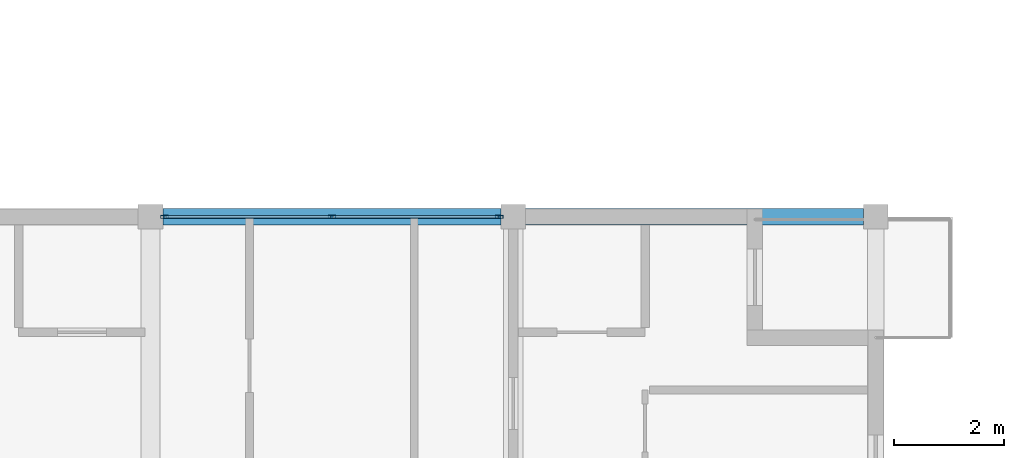
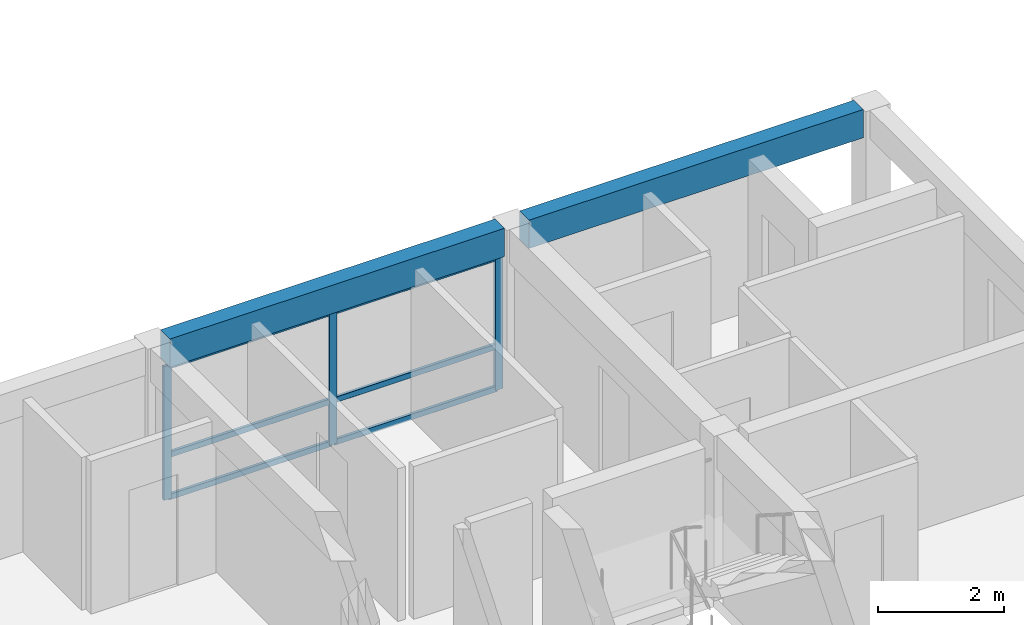
# One storey, part 12 of 46: 9 members, 2 beams, 1 element without a shape of its own.
"""IFC4 building model written with IfcOpenShell, lengths in metres."""

from ifc_helpers import new_model, si_unit, direction, frame, origin, origin_2d, place, context, subcontext, project, spatial, rectangle, hollow_rectangle, extrude, material, material_profile, profile_set, type_object, element, aggregate, save


model = new_model("IFC4")

# Units and contexts
model_context = context("Model", 3, precision=1e-05, world=origin(), true_north=direction((0.0, 1.0)))
body_context = subcontext(model_context, "Body", "Model", "MODEL_VIEW")
ifc_project = project(units=[si_unit("LENGTHUNIT", "METRE"), si_unit("AREAUNIT", "SQUARE_METRE"), si_unit("VOLUMEUNIT", "CUBIC_METRE"), si_unit("PLANEANGLEUNIT", "RADIAN"), si_unit("MASSUNIT", "GRAM", prefix="KILO")], contexts=[model_context])

# Site, building, storey
site_placement = place(None, origin())
site = spatial("IfcSite", under=ifc_project, at=site_placement, CompositionType="ELEMENT")
building_placement = place(site_placement, origin())
building = spatial("IfcBuilding", under=site, at=building_placement, Name="Kernevlak Ridge Housing Community", CompositionType="ELEMENT")
storey_placement = place(building_placement, frame((0.0, 0.0, 27.60009765625)))
storey = spatial("IfcBuildingStorey", under=building, at=storey_placement, Name="L08", CompositionType="ELEMENT", Elevation=27.60009765625)

# Curtain wall, members
ifc_material_1 = material(Name="Aluminium EN AW-6060 anodised and laminated glass", Category="aluminium")
curtain_wall_type = type_object("IfcCurtainWallType", Name="CW-14", PredefinedType="NOTDEFINED", material=ifc_material_1)
curtain_wall_placement = place(storey_placement, origin())
curtain_wall = element("IfcCurtainWall", 1, at=curtain_wall_placement, inside=storey, type_object=curtain_wall_type, Name="Curtain wall CW-14 CW-L08-126", PredefinedType="NOTDEFINED")
ifc_material_2 = material(Name="Aluminium EN AW-6060 anodised", Category="aluminium")
ifc_material_profile_1 = material_profile(ifc_material_2, hollow_rectangle(XDim=0.054931640625, YDim=0.139892578125, WallThickness=0.00390625, InnerFilletRadius=0.001953125, OuterFilletRadius=0.00390625, at=origin_2d()), Name="ALU 55x140x4")
ifc_profile_set_1 = profile_set([ifc_material_profile_1], Name="Aluminium EN AW-6060 anodised")
member_type_1 = type_object("IfcMemberType", Name="MU-01", PredefinedType="MULLION", material=ifc_profile_set_1)
member_1_placement = place(storey_placement, frame((132.8525390625, 42.0, 0.0), z_axis=(0.0, 0.0, 1.0), x_axis=(0.0, 1.0, 0.0)))
member_1 = element("IfcMember", 2, at=member_1_placement, type_object=member_type_1, Name="CW-14 mullion 1", PredefinedType="MULLION", context=body_context, shape_type="SweptSolid", body=[
    extrude(hollow_rectangle(XDim=0.054931640625, YDim=0.139892578125, WallThickness=0.00390625, InnerFilletRadius=0.001953125, OuterFilletRadius=0.00390625, at=origin_2d()), origin(), (0.0, 0.0, 1.0), 2.599853515625),
])
member_2_placement = place(storey_placement, frame((135.89990234375, 42.0, 0.0), z_axis=(0.0, 0.0, 1.0), x_axis=(0.0, 1.0, 0.0)))
member_2 = element("IfcMember", 3, at=member_2_placement, type_object=member_type_1, Name="CW-14 mullion 2", PredefinedType="MULLION", context=body_context, shape_type="SweptSolid", body=[
    extrude(hollow_rectangle(XDim=0.054931640625, YDim=0.139892578125, WallThickness=0.00390625, InnerFilletRadius=0.001953125, OuterFilletRadius=0.00390625, at=origin_2d()), origin(), (0.0, 0.0, 1.0), 2.599853515625),
])
member_3_placement = place(storey_placement, frame((138.947509765625, 42.0, 0.0), z_axis=(0.0, 0.0, 1.0), x_axis=(0.0, 1.0, 0.0)))
member_3 = element("IfcMember", 4, at=member_3_placement, type_object=member_type_1, Name="CW-14 mullion 3", PredefinedType="MULLION", context=body_context, shape_type="SweptSolid", body=[
    extrude(hollow_rectangle(XDim=0.054931640625, YDim=0.139892578125, WallThickness=0.00390625, InnerFilletRadius=0.001953125, OuterFilletRadius=0.00390625, at=origin_2d()), origin(), (0.0, 0.0, 1.0), 2.599853515625),
])

# Beams
ifc_material_3 = material(Name="Concrete C35/45", Category="concrete")
ifc_material_profile_2 = material_profile(ifc_material_3, rectangle(XDim=0.300048828125, YDim=0.550048828125, at=origin_2d()), Name="RC 300x550")
ifc_profile_set_2 = profile_set([ifc_material_profile_2], Name="Concrete C35/45")
beam_type = type_object("IfcBeamType", Name="SP-01", PredefinedType="SPANDREL", material=ifc_profile_set_2)
beam_1_placement = place(storey_placement, frame((132.824951171875, 42.0, 2.9248046875), z_axis=(1.0, 0.0, 0.0), x_axis=(0.0, 1.0, 0.0)))
element("IfcBeam", 5, at=beam_1_placement, inside=storey, type_object=beam_type, Name="Beam SP-01 L08 1198", PredefinedType="SPANDREL", context=body_context, shape_type="SweptSolid", body=[
    extrude(rectangle(XDim=0.300048828125, YDim=0.550048828125, at=origin_2d()), origin(), (0.0, 0.0, 1.0), 6.150146484375),
])
beam_2_placement = place(storey_placement, frame((139.425048828125, 42.0, 2.9248046875), z_axis=(1.0, 0.0, 0.0), x_axis=(0.0, 1.0, 0.0)))
element("IfcBeam", 6, at=beam_2_placement, inside=storey, type_object=beam_type, Name="Beam SP-01 L08 1199", PredefinedType="SPANDREL", context=body_context, shape_type="SweptSolid", body=[
    extrude(rectangle(XDim=0.300048828125, YDim=0.550048828125, at=origin_2d()), origin(), (0.0, 0.0, 1.0), 6.14990234375),
])

# Member
ifc_material_profile_3 = material_profile(ifc_material_2, hollow_rectangle(XDim=0.054931640625, YDim=0.110107421875, WallThickness=0.00390625, InnerFilletRadius=0.001953125, OuterFilletRadius=0.00390625, at=origin_2d()), Name="ALU 55x110x4")
ifc_profile_set_3 = profile_set([ifc_material_profile_3], Name="Aluminium EN AW-6060 anodised")
member_type_2 = type_object("IfcMemberType", Name="TM-01", PredefinedType="USERDEFINED", material=ifc_profile_set_3)
member_4_placement = place(storey_placement, frame((132.8798828125, 42.0, 0.02734375), z_axis=(1.0, 0.0, 0.0), x_axis=(0.0, 1.0, 0.0)))
member_4 = element("IfcMember", 7, at=member_4_placement, type_object=member_type_2, Name="CW-14 transom 1.1", ObjectType="TRANSOM", PredefinedType="USERDEFINED", context=body_context, shape_type="SweptSolid", body=[
    extrude(hollow_rectangle(XDim=0.054931640625, YDim=0.110107421875, WallThickness=0.00390625, InnerFilletRadius=0.001953125, OuterFilletRadius=0.00390625, at=origin_2d()), origin(), (0.0, 0.0, 1.0), 2.99267578125),
])

member_5_placement = place(storey_placement, frame((132.8798828125, 42.0, 0.849853515625), z_axis=(1.0, 0.0, 0.0), x_axis=(0.0, 1.0, 0.0)))
member_5 = element("IfcMember", 8, at=member_5_placement, type_object=member_type_2, Name="CW-14 transom 1.2", ObjectType="TRANSOM", PredefinedType="USERDEFINED", context=body_context, shape_type="SweptSolid", body=[
    extrude(hollow_rectangle(XDim=0.054931640625, YDim=0.110107421875, WallThickness=0.00390625, InnerFilletRadius=0.001953125, OuterFilletRadius=0.00390625, at=origin_2d()), origin(), (0.0, 0.0, 1.0), 2.99267578125),
])

member_6_placement = place(storey_placement, frame((132.8798828125, 42.0, 2.572509765625), z_axis=(1.0, 0.0, 0.0), x_axis=(0.0, 1.0, 0.0)))
member_6 = element("IfcMember", 9, at=member_6_placement, type_object=member_type_2, Name="CW-14 transom 1.3", ObjectType="TRANSOM", PredefinedType="USERDEFINED", context=body_context, shape_type="SweptSolid", body=[
    extrude(hollow_rectangle(XDim=0.054931640625, YDim=0.110107421875, WallThickness=0.00390625, InnerFilletRadius=0.001953125, OuterFilletRadius=0.00390625, at=origin_2d()), origin(), (0.0, 0.0, 1.0), 2.99267578125),
])

member_7_placement = place(storey_placement, frame((135.927490234375, 42.0, 0.02734375), z_axis=(1.0, 0.0, 0.0), x_axis=(0.0, 1.0, 0.0)))
member_7 = element("IfcMember", 10, at=member_7_placement, type_object=member_type_2, Name="CW-14 transom 2.1", ObjectType="TRANSOM", PredefinedType="USERDEFINED", context=body_context, shape_type="SweptSolid", body=[
    extrude(hollow_rectangle(XDim=0.054931640625, YDim=0.110107421875, WallThickness=0.00390625, InnerFilletRadius=0.001953125, OuterFilletRadius=0.00390625, at=origin_2d()), origin(), (0.0, 0.0, 1.0), 2.992431640625),
])

member_8_placement = place(storey_placement, frame((135.927490234375, 42.0, 0.849853515625), z_axis=(1.0, 0.0, 0.0), x_axis=(0.0, 1.0, 0.0)))
member_8 = element("IfcMember", 11, at=member_8_placement, type_object=member_type_2, Name="CW-14 transom 2.2", ObjectType="TRANSOM", PredefinedType="USERDEFINED", context=body_context, shape_type="SweptSolid", body=[
    extrude(hollow_rectangle(XDim=0.054931640625, YDim=0.110107421875, WallThickness=0.00390625, InnerFilletRadius=0.001953125, OuterFilletRadius=0.00390625, at=origin_2d()), origin(), (0.0, 0.0, 1.0), 2.992431640625),
])

member_9_placement = place(storey_placement, frame((135.927490234375, 42.0, 2.572509765625), z_axis=(1.0, 0.0, 0.0), x_axis=(0.0, 1.0, 0.0)))
member_9 = element("IfcMember", 12, at=member_9_placement, type_object=member_type_2, Name="CW-14 transom 2.3", ObjectType="TRANSOM", PredefinedType="USERDEFINED", context=body_context, shape_type="SweptSolid", body=[
    extrude(hollow_rectangle(XDim=0.054931640625, YDim=0.110107421875, WallThickness=0.00390625, InnerFilletRadius=0.001953125, OuterFilletRadius=0.00390625, at=origin_2d()), origin(), (0.0, 0.0, 1.0), 2.992431640625),
])

aggregate(curtain_wall, [member_1, member_2, member_3, member_4, member_5, member_6, member_7, member_8, member_9])

save(model, "model.ifc")
